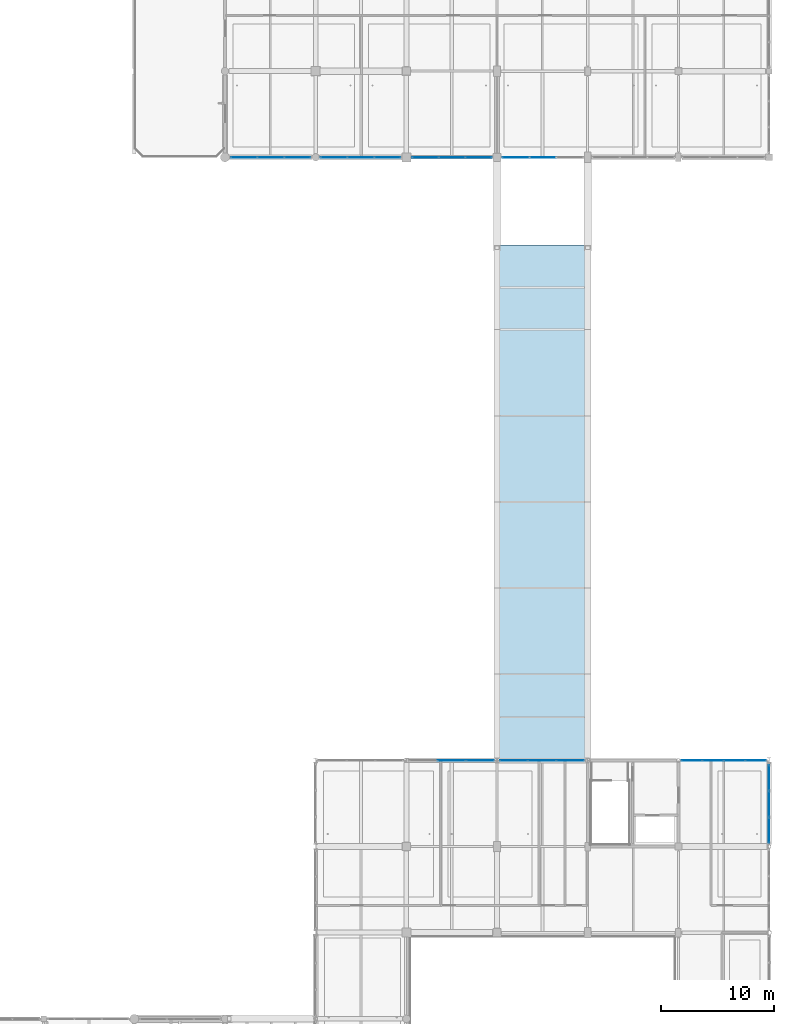
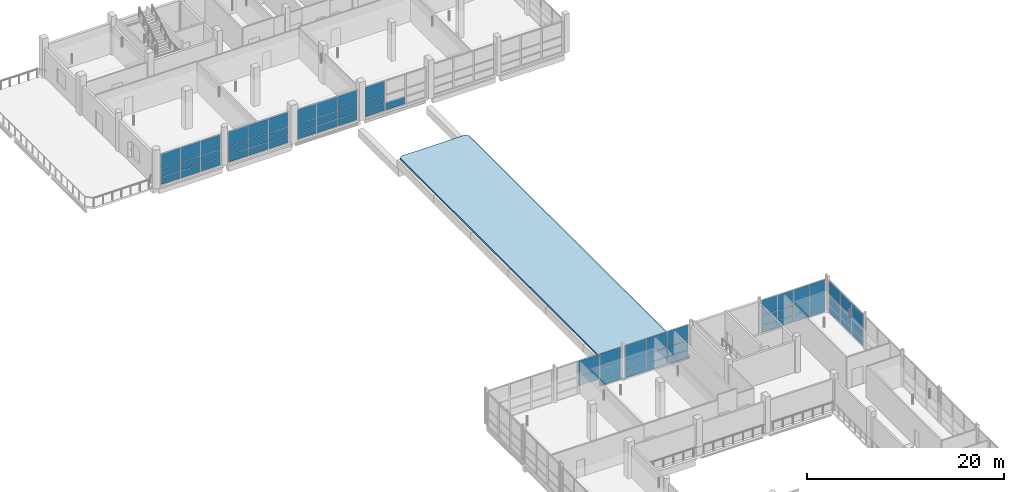
# One storey, part 62 of 107: 66 plates, 1 slab, 8 elements without a shape of their own.
"""IFC4 building model written with IfcOpenShell, lengths in metres."""

import ifcopenshell
import ifcopenshell.guid

model = None  # the IFC model being written
_history = None  # IfcOwnerHistory: only IFC2X3 demands one
_inside = {}  # id of a spatial element -> (the spatial element, [elements in it])
_under = {}  # id of a project, library or spatial element -> (it, [spatial elements below it])
_declared = {}  # id of a project -> (the project, [libraries it declares])
_typed = {}  # id of a type object -> (the type object, [elements of that type])
_made_of = {}  # id of a material, layer set ... -> (it, [elements and type objects made of it])


def new_model(schema):
    """Start an empty IFC model of exactly this schema.

    Asked for "IFC4X3", IfcOpenShell would pick the latest addendum, in which some entities
    have other attributes; the version numbers below select the first issue.
    IFC2X3 requires an IfcOwnerHistory on every rooted entity: one is made here for all.
    """
    global model, _history
    if schema == "IFC4X3":
        model = ifcopenshell.file(schema_version=(4, 3, 0, 0))
    else:
        model = ifcopenshell.file(schema=schema)
    _inside.clear()
    _under.clear()
    _declared.clear()
    _typed.clear()
    _made_of.clear()
    _history = None
    if model.schema == "IFC2X3":
        org = make("IfcOrganization", Name="unknown")
        user = make(
            "IfcPersonAndOrganization",
            ThePerson=make("IfcPerson", FamilyName="unknown"),
            TheOrganization=org,
        )
        app = make(
            "IfcApplication",
            ApplicationDeveloper=org,
            Version="unknown",
            ApplicationFullName="unknown",
            ApplicationIdentifier="unknown",
        )
        _history = make(
            "IfcOwnerHistory",
            OwningUser=user,
            OwningApplication=app,
            ChangeAction="ADDED",
            CreationDate=0,
        )
    return model


def make(cls, **values):
    """One entity of the class cls with the attributes given. An attribute that is None is left unset."""
    return model.create_entity(
        cls, **{name: value for name, value in values.items() if value is not None}
    )


def rooted(cls, **values):
    """An entity with a GlobalId (a new one), such as an element, a storey or a relation."""
    return make(cls, GlobalId=ifcopenshell.guid.new(), OwnerHistory=_history, **values)


def si_unit(unit_type, name, prefix=None):
    """IfcSIUnit, for example si_unit("LENGTHUNIT", "METRE", prefix="MILLI")."""
    return make("IfcSIUnit", UnitType=unit_type, Prefix=prefix, Name=name)


def assignment(units):
    """IfcUnitAssignment: the units of a project."""
    return None if units is None else make("IfcUnitAssignment", Units=units)


def point(xyz):
    """IfcCartesianPoint."""
    return None if xyz is None else make("IfcCartesianPoint", Coordinates=xyz)


def direction(xyz):
    """IfcDirection."""
    return None if xyz is None else make("IfcDirection", DirectionRatios=xyz)


def frame(location, z_axis=None, x_axis=None):
    """IfcAxis2Placement3D, a coordinate frame: its origin and axes. An axis left out is left unset."""
    return make(
        "IfcAxis2Placement3D",
        Location=point(location),
        Axis=direction(z_axis),
        RefDirection=direction(x_axis),
    )


def frame_2d(location, x_axis=None):
    """IfcAxis2Placement2D, a coordinate frame in the plane: its origin and x axis."""
    return make(
        "IfcAxis2Placement2D", Location=point(location), RefDirection=direction(x_axis)
    )


def origin():
    """The frame at (0, 0, 0) with its axes left unset."""
    return frame((0.0, 0.0, 0.0))


def origin_2d():
    """The frame at (0, 0) in the plane with its x axis left unset."""
    return frame_2d((0.0, 0.0))


def place(relative_to, where):
    """IfcLocalPlacement: puts the frame where relative to a parent placement (None: the world)."""
    return make(
        "IfcLocalPlacement", PlacementRelTo=relative_to, RelativePlacement=where
    )


def context(
    kind, dimensions, precision=None, world=None, true_north=None, identifier=None
):
    """IfcGeometricRepresentationContext, for example the 3D "Model" context."""
    return make(
        "IfcGeometricRepresentationContext",
        ContextIdentifier=identifier,
        ContextType=kind,
        CoordinateSpaceDimension=dimensions,
        Precision=precision,
        WorldCoordinateSystem=world,
        TrueNorth=true_north,
    )


def subcontext(parent, identifier, kind, view, scale=None):
    """IfcGeometricRepresentationSubContext, for example "Body" below "Model"."""
    return make(
        "IfcGeometricRepresentationSubContext",
        ContextIdentifier=identifier,
        ContextType=kind,
        ParentContext=parent,
        TargetScale=scale,
        TargetView=view,
    )


def project(units=None, contexts=None):
    """IfcProject with its units and contexts."""
    return rooted(
        "IfcProject",
        Name="project",
        RepresentationContexts=contexts,
        UnitsInContext=assignment(units),
    )


def spatial(cls, under=None, at=None, **own):
    """A site, building, storey or space (cls), placed at a placement, below another one or the project."""
    s = rooted(cls, ObjectPlacement=at, **own)
    if under is not None:
        _under.setdefault(under.id(), (under, []))[1].append(s)
    return s


def polyline(points):
    """IfcPolyline through the points."""
    return make("IfcPolyline", Points=[point(p) for p in points])


def profile(cls, at=None, kind="AREA", **sizes):
    """A parametric profile (cls). Its sizes go by their IFC names, for example OverallWidth=200.0."""
    return make(cls, ProfileType=kind, Position=at, **sizes)


def rectangle(**sizes):
    """IfcRectangleProfileDef."""
    return profile("IfcRectangleProfileDef", **sizes)


def outline(outer, holes=None, kind="AREA"):
    """IfcArbitraryClosedProfileDef: a profile drawn as a closed curve; with holes, ...WithVoids."""
    if holes is None:
        return make("IfcArbitraryClosedProfileDef", ProfileType=kind, OuterCurve=outer)
    return make(
        "IfcArbitraryProfileDefWithVoids",
        ProfileType=kind,
        OuterCurve=outer,
        InnerCurves=holes,
    )


def extrude(swept, where, along, depth):
    """IfcExtrudedAreaSolid: the profile swept, set in the frame where, extruded along a direction by depth."""
    return make(
        "IfcExtrudedAreaSolid",
        SweptArea=swept,
        Position=where,
        ExtrudedDirection=direction(along),
        Depth=depth,
    )


def shape(context_of_items, identifier, shape_type, items):
    """IfcShapeRepresentation: the items that make up one representation, for example the "Body"."""
    return make(
        "IfcShapeRepresentation",
        ContextOfItems=context_of_items,
        RepresentationIdentifier=identifier,
        RepresentationType=shape_type,
        Items=items,
    )


def material(Name=None, Category=None):
    """IfcMaterial."""
    return make("IfcMaterial", Name=Name, Category=Category)


def layer(
    of_material, thickness, ventilated=None, Name=None, Category=None, Priority=None
):
    """IfcMaterialLayer: one layer of a wall or slab, of a material (None: an air gap)."""
    return make(
        "IfcMaterialLayer",
        Material=of_material,
        LayerThickness=thickness,
        IsVentilated=ventilated,
        Name=Name,
        Category=Category,
        Priority=Priority,
    )


def layer_set(layers, Name=None):
    """IfcMaterialLayerSet."""
    return make("IfcMaterialLayerSet", MaterialLayers=layers, LayerSetName=Name)


def made_of(thing, what):
    """Note that an element or type object is made of a material, layer set ...; save() writes the relation."""
    if what is not None:
        _made_of.setdefault(what.id(), (what, []))[1].append(thing)
    return thing


def type_object(cls, material=None, **own):
    """A type object (cls), such as IfcWallType, which elements share."""
    return made_of(rooted(cls, **own), material)


def element(
    cls,
    number,
    at=None,
    inside=None,
    cuts=None,
    type_object=None,
    material=None,
    context=None,
    identifier="Body",
    shape_type=None,
    held_by="IfcProductDefinitionShape",
    body=None,
    shapes=None,
    **own,
):
    """One element of the class cls, such as IfcWall. Its Tag is "e" and its number.

    at: its placement. inside: the storey or other place that contains it. cuts: it is an
    opening in that element (IfcRelVoidsElement). A single representation is given by context,
    identifier, shape_type and body (its items); several are given by shapes. held_by: the class
    of the entity that holds the representations. save() writes the other relations.
    """
    e = rooted(cls, Tag="e%d" % number, ObjectPlacement=at, **own)
    if body is not None:
        shapes = [shape(context, identifier, shape_type, body)]
    if shapes is not None:
        e.Representation = make(held_by, Representations=shapes)
    if inside is not None:
        _inside.setdefault(inside.id(), (inside, []))[1].append(e)
    if cuts is not None:
        rooted(
            "IfcRelVoidsElement", RelatingBuildingElement=cuts, RelatedOpeningElement=e
        )
    if type_object is not None:
        _typed.setdefault(type_object.id(), (type_object, []))[1].append(e)
    return made_of(e, material)


def aggregate(whole, parts):
    """IfcRelAggregates: a whole, such as a stair, and the parts it consists of."""
    return rooted("IfcRelAggregates", RelatingObject=whole, RelatedObjects=parts)


def save(model, path):
    """Write the relations noted so far, then the file.

    IfcRelAggregates (storeys below a building ...), IfcRelContainedInSpatialStructure (elements
    in a storey), IfcRelDefinesByType, IfcRelAssociatesMaterial and IfcRelDeclares: one each for
    every whole, place, type object, material and project.
    """
    for whole, parts in _under.values():
        aggregate(whole, parts)
    for where, things in _inside.values():
        rooted(
            "IfcRelContainedInSpatialStructure",
            RelatedElements=things,
            RelatingStructure=where,
        )
    for kind, things in _typed.values():
        rooted("IfcRelDefinesByType", RelatedObjects=things, RelatingType=kind)
    for what, things in _made_of.values():
        rooted("IfcRelAssociatesMaterial", RelatedObjects=things, RelatingMaterial=what)
    for by, libraries in _declared.values():
        rooted("IfcRelDeclares", RelatingContext=by, RelatedDefinitions=libraries)
    model.write(path)


model = new_model("IFC4")

# Units and contexts
model_context = context("Model", 3, precision=1e-05, world=origin(), true_north=direction((0.0, 1.0)))
body_context = subcontext(model_context, "Body", "Model", "MODEL_VIEW")
ifc_project = project(units=[si_unit("LENGTHUNIT", "METRE"), si_unit("AREAUNIT", "SQUARE_METRE"), si_unit("VOLUMEUNIT", "CUBIC_METRE"), si_unit("PLANEANGLEUNIT", "RADIAN"), si_unit("MASSUNIT", "GRAM", prefix="KILO")], contexts=[model_context])

# Site, building, storey
site_placement = place(None, origin())
site = spatial("IfcSite", under=ifc_project, at=site_placement, CompositionType="ELEMENT")
building_placement = place(site_placement, origin())
building = spatial("IfcBuilding", under=site, at=building_placement, Name="Khelvaren Railside Concert Hall", CompositionType="ELEMENT")
storey_placement = place(building_placement, frame((0.0, 0.0, 15.0)))
storey = spatial("IfcBuildingStorey", under=building, at=storey_placement, Name="L03", CompositionType="ELEMENT", Elevation=15.0)

# Curtain wall, plates
ifc_material_1 = material(Name="Acoustic laminated crystal facade glass", Category="glass")
curtain_wall_type_1 = type_object("IfcCurtainWallType", Name="CW15", PredefinedType="USERDEFINED", material=ifc_material_1)
curtain_wall_1_placement = place(storey_placement, origin())
curtain_wall_1 = element("IfcCurtainWall", 1, at=curtain_wall_1_placement, inside=storey, type_object=curtain_wall_type_1, Name="Unitised Curtain Wall CW-V2-L03-E-30", ObjectType="UNITISED CURTAIN WALL", PredefinedType="USERDEFINED")
ifc_layer_1 = layer(ifc_material_1, 0.0400390625)
ifc_layer_set_1 = layer_set([ifc_layer_1], Name="Acoustic laminated crystal facade glass")
plate_type_1 = type_object("IfcPlateType", Name="CWP77", PredefinedType="CURTAIN_PANEL", material=ifc_layer_set_1)
plate_1_placement = place(storey_placement, frame((184.0, 36.47900390625, 0.0849609375), z_axis=(0.0, 0.0, 1.0), x_axis=(0.0, -1.0, 0.0)))
plate_1 = element("IfcPlate", 2, at=plate_1_placement, type_object=plate_type_1, Name="CW15 panel 1.1", PredefinedType="CURTAIN_PANEL", context=body_context, shape_type="SweptSolid", body=[
    extrude(rectangle(XDim=2.216796875, YDim=0.0400390625, at=origin_2d()), origin(), (0.0, 0.0, 1.0), 0.822509765625),
])
plate_2_placement = place(storey_placement, frame((184.0, 36.47900390625, 0.992431640625), z_axis=(0.0, 0.0, 1.0), x_axis=(0.0, -1.0, 0.0)))
plate_2 = element("IfcPlate", 3, at=plate_2_placement, type_object=plate_type_1, Name="CW15 panel 1.2", PredefinedType="CURTAIN_PANEL", context=body_context, shape_type="SweptSolid", body=[
    extrude(rectangle(XDim=2.216796875, YDim=0.0400390625, at=origin_2d()), origin(), (0.0, 0.0, 1.0), 1.107421875),
])
plate_3_placement = place(storey_placement, frame((184.0, 36.47900390625, 2.184814453125), z_axis=(0.0, 0.0, 1.0), x_axis=(0.0, -1.0, 0.0)))
plate_3 = element("IfcPlate", 4, at=plate_3_placement, type_object=plate_type_1, Name="CW15 panel 1.3", PredefinedType="CURTAIN_PANEL", context=body_context, shape_type="SweptSolid", body=[
    extrude(rectangle(XDim=2.216796875, YDim=0.0400390625, at=origin_2d()), origin(), (0.0, 0.0, 1.0), 1.85009765625),
])
plate_4_placement = place(storey_placement, frame((184.0, 34.156005859375, 0.0849609375), z_axis=(0.0, 0.0, 1.0), x_axis=(0.0, -1.0, 0.0)))
plate_4 = element("IfcPlate", 5, at=plate_4_placement, type_object=plate_type_1, Name="CW15 panel 2.1", PredefinedType="CURTAIN_PANEL", context=body_context, shape_type="SweptSolid", body=[
    extrude(rectangle(XDim=2.25927734375, YDim=0.0400390625, at=origin_2d()), origin(), (0.0, 0.0, 1.0), 0.822509765625),
])
plate_5_placement = place(storey_placement, frame((184.0, 34.156005859375, 0.992431640625), z_axis=(0.0, 0.0, 1.0), x_axis=(0.0, -1.0, 0.0)))
plate_5 = element("IfcPlate", 6, at=plate_5_placement, type_object=plate_type_1, Name="CW15 panel 2.2", PredefinedType="CURTAIN_PANEL", context=body_context, shape_type="SweptSolid", body=[
    extrude(rectangle(XDim=2.25927734375, YDim=0.0400390625, at=origin_2d()), origin(), (0.0, 0.0, 1.0), 1.107421875),
])
plate_6_placement = place(storey_placement, frame((184.0, 34.156005859375, 2.184814453125), z_axis=(0.0, 0.0, 1.0), x_axis=(0.0, -1.0, 0.0)))
plate_6 = element("IfcPlate", 7, at=plate_6_placement, type_object=plate_type_1, Name="CW15 panel 2.3", PredefinedType="CURTAIN_PANEL", context=body_context, shape_type="SweptSolid", body=[
    extrude(rectangle(XDim=2.25927734375, YDim=0.0400390625, at=origin_2d()), origin(), (0.0, 0.0, 1.0), 1.85009765625),
])
plate_7_placement = place(storey_placement, frame((184.0, 31.8330078125, 0.0849609375), z_axis=(0.0, 0.0, 1.0), x_axis=(0.0, -1.0, 0.0)))
plate_7 = element("IfcPlate", 8, at=plate_7_placement, type_object=plate_type_1, Name="CW15 panel 3.1", PredefinedType="CURTAIN_PANEL", context=body_context, shape_type="SweptSolid", body=[
    extrude(rectangle(XDim=2.216796875, YDim=0.0400390625, at=origin_2d()), origin(), (0.0, 0.0, 1.0), 0.822509765625),
])
plate_8_placement = place(storey_placement, frame((184.0, 31.8330078125, 0.992431640625), z_axis=(0.0, 0.0, 1.0), x_axis=(0.0, -1.0, 0.0)))
plate_8 = element("IfcPlate", 9, at=plate_8_placement, type_object=plate_type_1, Name="CW15 panel 3.2", PredefinedType="CURTAIN_PANEL", context=body_context, shape_type="SweptSolid", body=[
    extrude(rectangle(XDim=2.216796875, YDim=0.0400390625, at=origin_2d()), origin(), (0.0, 0.0, 1.0), 1.107421875),
])
plate_9_placement = place(storey_placement, frame((184.0, 31.8330078125, 2.184814453125), z_axis=(0.0, 0.0, 1.0), x_axis=(0.0, -1.0, 0.0)))
plate_9 = element("IfcPlate", 10, at=plate_9_placement, type_object=plate_type_1, Name="CW15 panel 3.3", PredefinedType="CURTAIN_PANEL", context=body_context, shape_type="SweptSolid", body=[
    extrude(rectangle(XDim=2.216796875, YDim=0.0400390625, at=origin_2d()), origin(), (0.0, 0.0, 1.0), 1.85009765625),
])
aggregate(curtain_wall_1, [plate_1, plate_2, plate_3, plate_4, plate_5, plate_6, plate_7, plate_8, plate_9])

ifc_material_2 = material(Name="Double-glazed low-E dark acoustic glass", Category="glass")
curtain_wall_type_2 = type_object("IfcCurtainWallType", Name="CW69", PredefinedType="USERDEFINED", material=ifc_material_2)
curtain_wall_2_placement = place(storey_placement, origin())
curtain_wall_2 = element("IfcCurtainWall", 11, at=curtain_wall_2_placement, inside=storey, type_object=curtain_wall_type_2, Name="Unitised Curtain Wall CW-V2-L03-N-152", ObjectType="UNITISED CURTAIN WALL", PredefinedType="USERDEFINED")
ifc_layer_2 = layer(ifc_material_2, 0.031982421875)
ifc_layer_set_2 = layer_set([ifc_layer_2], Name="Double-glazed low-E dark acoustic glass")
plate_type_2 = type_object("IfcPlateType", Name="CWP84", PredefinedType="CURTAIN_PANEL", material=ifc_layer_set_2)
plate_10_placement = place(storey_placement, frame((156.0, 38.0, 0.982421875), z_axis=(0.0, 0.0, 1.0), x_axis=(1.0, 0.0, 0.0)))
plate_10 = element("IfcPlate", 12, at=plate_10_placement, type_object=plate_type_2, Name="CW69 panel 2.2", PredefinedType="CURTAIN_PANEL", context=body_context, shape_type="SweptSolid", body=[
    extrude(rectangle(XDim=2.456787109375, YDim=0.031982421875, at=origin_2d()), origin(), (0.0, 0.0, 1.0), 1.12744140625),
])
plate_11_placement = place(storey_placement, frame((156.0, 38.0, 2.1748046875), z_axis=(0.0, 0.0, 1.0), x_axis=(1.0, 0.0, 0.0)))
plate_11 = element("IfcPlate", 13, at=plate_11_placement, type_object=plate_type_2, Name="CW69 panel 2.3", PredefinedType="CURTAIN_PANEL", context=body_context, shape_type="SweptSolid", body=[
    extrude(rectangle(XDim=2.456787109375, YDim=0.031982421875, at=origin_2d()), origin(), (0.0, 0.0, 1.0), 1.880126953125),
])
plate_12_placement = place(storey_placement, frame((158.50537109375, 38.0, 0.06494140625), z_axis=(0.0, 0.0, 1.0), x_axis=(1.0, 0.0, 0.0)))
plate_12 = element("IfcPlate", 14, at=plate_12_placement, type_object=plate_type_2, Name="CW69 panel 3.1", PredefinedType="CURTAIN_PANEL", context=body_context, shape_type="SweptSolid", body=[
    extrude(rectangle(XDim=2.424072265625, YDim=0.031982421875, at=origin_2d()), origin(), (0.0, 0.0, 1.0), 0.8525390625),
])
plate_13_placement = place(storey_placement, frame((158.50537109375, 38.0, 0.982421875), z_axis=(0.0, 0.0, 1.0), x_axis=(1.0, 0.0, 0.0)))
plate_13 = element("IfcPlate", 15, at=plate_13_placement, type_object=plate_type_2, Name="CW69 panel 3.2", PredefinedType="CURTAIN_PANEL", context=body_context, shape_type="SweptSolid", body=[
    extrude(rectangle(XDim=2.424072265625, YDim=0.031982421875, at=origin_2d()), origin(), (0.0, 0.0, 1.0), 1.12744140625),
])
plate_14_placement = place(storey_placement, frame((158.50537109375, 38.0, 2.1748046875), z_axis=(0.0, 0.0, 1.0), x_axis=(1.0, 0.0, 0.0)))
plate_14 = element("IfcPlate", 16, at=plate_14_placement, type_object=plate_type_2, Name="CW69 panel 3.3", PredefinedType="CURTAIN_PANEL", context=body_context, shape_type="SweptSolid", body=[
    extrude(rectangle(XDim=2.424072265625, YDim=0.031982421875, at=origin_2d()), origin(), (0.0, 0.0, 1.0), 1.880126953125),
])
aggregate(curtain_wall_2, [plate_10, plate_11, plate_12, plate_13, plate_14])

curtain_wall_type_3 = type_object("IfcCurtainWallType", Name="CW32", PredefinedType="USERDEFINED", material=ifc_material_2)
curtain_wall_3_placement = place(storey_placement, origin())
curtain_wall_3 = element("IfcCurtainWall", 17, at=curtain_wall_3_placement, inside=storey, type_object=curtain_wall_type_3, Name="Unitised Curtain Wall CW-V2-L03-N-160", ObjectType="UNITISED CURTAIN WALL", PredefinedType="USERDEFINED")
plate_15_placement = place(storey_placement, frame((161.485595703125, 38.0, 0.06494140625), z_axis=(0.0, 0.0, 1.0), x_axis=(1.0, 0.0, 0.0)))
plate_15 = element("IfcPlate", 18, at=plate_15_placement, type_object=plate_type_2, Name="CW32 panel 1.1", PredefinedType="CURTAIN_PANEL", context=body_context, shape_type="SweptSolid", body=[
    extrude(rectangle(XDim=2.406494140625, YDim=0.031982421875, at=origin_2d()), origin(), (0.0, 0.0, 1.0), 0.8525390625),
])
plate_16_placement = place(storey_placement, frame((161.485595703125, 38.0, 0.982421875), z_axis=(0.0, 0.0, 1.0), x_axis=(1.0, 0.0, 0.0)))
plate_16 = element("IfcPlate", 19, at=plate_16_placement, type_object=plate_type_2, Name="CW32 panel 1.2", PredefinedType="CURTAIN_PANEL", context=body_context, shape_type="SweptSolid", body=[
    extrude(rectangle(XDim=2.406494140625, YDim=0.031982421875, at=origin_2d()), origin(), (0.0, 0.0, 1.0), 1.12744140625),
])
plate_17_placement = place(storey_placement, frame((161.485595703125, 38.0, 2.1748046875), z_axis=(0.0, 0.0, 1.0), x_axis=(1.0, 0.0, 0.0)))
plate_17 = element("IfcPlate", 20, at=plate_17_placement, type_object=plate_type_2, Name="CW32 panel 1.3", PredefinedType="CURTAIN_PANEL", context=body_context, shape_type="SweptSolid", body=[
    extrude(rectangle(XDim=2.406494140625, YDim=0.031982421875, at=origin_2d()), origin(), (0.0, 0.0, 1.0), 1.880126953125),
])
plate_18_placement = place(storey_placement, frame((163.973388671875, 38.0, 0.06494140625), z_axis=(0.0, 0.0, 1.0), x_axis=(1.0, 0.0, 0.0)))
plate_18 = element("IfcPlate", 21, at=plate_18_placement, type_object=plate_type_2, Name="CW32 panel 2.1", PredefinedType="CURTAIN_PANEL", context=body_context, shape_type="SweptSolid", body=[
    extrude(rectangle(XDim=2.43896484375, YDim=0.031982421875, at=origin_2d()), origin(), (0.0, 0.0, 1.0), 0.8525390625),
])
plate_19_placement = place(storey_placement, frame((163.973388671875, 38.0, 0.982421875), z_axis=(0.0, 0.0, 1.0), x_axis=(1.0, 0.0, 0.0)))
plate_19 = element("IfcPlate", 22, at=plate_19_placement, type_object=plate_type_2, Name="CW32 panel 2.2", PredefinedType="CURTAIN_PANEL", context=body_context, shape_type="SweptSolid", body=[
    extrude(rectangle(XDim=2.43896484375, YDim=0.031982421875, at=origin_2d()), origin(), (0.0, 0.0, 1.0), 1.12744140625),
])
plate_20_placement = place(storey_placement, frame((163.973388671875, 38.0, 2.1748046875), z_axis=(0.0, 0.0, 1.0), x_axis=(1.0, 0.0, 0.0)))
plate_20 = element("IfcPlate", 23, at=plate_20_placement, type_object=plate_type_2, Name="CW32 panel 2.3", PredefinedType="CURTAIN_PANEL", context=body_context, shape_type="SweptSolid", body=[
    extrude(rectangle(XDim=2.43896484375, YDim=0.031982421875, at=origin_2d()), origin(), (0.0, 0.0, 1.0), 1.880126953125),
])
plate_21_placement = place(storey_placement, frame((166.461181640625, 38.0, 0.06494140625), z_axis=(0.0, 0.0, 1.0), x_axis=(1.0, 0.0, 0.0)))
plate_21 = element("IfcPlate", 24, at=plate_21_placement, type_object=plate_type_2, Name="CW32 panel 3.1", PredefinedType="CURTAIN_PANEL", context=body_context, shape_type="SweptSolid", body=[
    extrude(rectangle(XDim=2.406494140625, YDim=0.031982421875, at=origin_2d()), origin(), (0.0, 0.0, 1.0), 0.8525390625),
])
plate_22_placement = place(storey_placement, frame((166.461181640625, 38.0, 0.982421875), z_axis=(0.0, 0.0, 1.0), x_axis=(1.0, 0.0, 0.0)))
plate_22 = element("IfcPlate", 25, at=plate_22_placement, type_object=plate_type_2, Name="CW32 panel 3.2", PredefinedType="CURTAIN_PANEL", context=body_context, shape_type="SweptSolid", body=[
    extrude(rectangle(XDim=2.406494140625, YDim=0.031982421875, at=origin_2d()), origin(), (0.0, 0.0, 1.0), 1.12744140625),
])
plate_23_placement = place(storey_placement, frame((166.461181640625, 38.0, 2.1748046875), z_axis=(0.0, 0.0, 1.0), x_axis=(1.0, 0.0, 0.0)))
plate_23 = element("IfcPlate", 26, at=plate_23_placement, type_object=plate_type_2, Name="CW32 panel 3.3", PredefinedType="CURTAIN_PANEL", context=body_context, shape_type="SweptSolid", body=[
    extrude(rectangle(XDim=2.406494140625, YDim=0.031982421875, at=origin_2d()), origin(), (0.0, 0.0, 1.0), 1.880126953125),
])
aggregate(curtain_wall_3, [plate_15, plate_16, plate_17, plate_18, plate_19, plate_20, plate_21, plate_22, plate_23])

curtain_wall_type_4 = type_object("IfcCurtainWallType", Name="CW94", PredefinedType="USERDEFINED", material=ifc_material_2)
curtain_wall_4_placement = place(storey_placement, origin())
curtain_wall_4 = element("IfcCurtainWall", 27, at=curtain_wall_4_placement, inside=storey, type_object=curtain_wall_type_4, Name="Unitised Curtain Wall CW-V2-L03-N-176", ObjectType="UNITISED CURTAIN WALL", PredefinedType="USERDEFINED")
plate_24_placement = place(storey_placement, frame((177.18994140625, 38.0, 0.06494140625), z_axis=(0.0, 0.0, 1.0), x_axis=(1.0, 0.0, 0.0)))
plate_24 = element("IfcPlate", 28, at=plate_24_placement, type_object=plate_type_2, Name="CW94 panel 1.1", PredefinedType="CURTAIN_PANEL", context=body_context, shape_type="SweptSolid", body=[
    extrude(rectangle(XDim=1.790771484375, YDim=0.031982421875, at=origin_2d()), origin(), (0.0, 0.0, 1.0), 0.8525390625),
])
plate_25_placement = place(storey_placement, frame((177.18994140625, 38.0, 0.982421875), z_axis=(0.0, 0.0, 1.0), x_axis=(1.0, 0.0, 0.0)))
plate_25 = element("IfcPlate", 29, at=plate_25_placement, type_object=plate_type_2, Name="CW94 panel 1.2", PredefinedType="CURTAIN_PANEL", context=body_context, shape_type="SweptSolid", body=[
    extrude(rectangle(XDim=1.790771484375, YDim=0.031982421875, at=origin_2d()), origin(), (0.0, 0.0, 1.0), 1.12744140625),
])
plate_26_placement = place(storey_placement, frame((177.18994140625, 38.0, 2.1748046875), z_axis=(0.0, 0.0, 1.0), x_axis=(1.0, 0.0, 0.0)))
plate_26 = element("IfcPlate", 30, at=plate_26_placement, type_object=plate_type_2, Name="CW94 panel 1.3", PredefinedType="CURTAIN_PANEL", context=body_context, shape_type="SweptSolid", body=[
    extrude(rectangle(XDim=1.790771484375, YDim=0.031982421875, at=origin_2d()), origin(), (0.0, 0.0, 1.0), 1.880126953125),
])
plate_27_placement = place(storey_placement, frame((179.061767578125, 38.0, 0.06494140625), z_axis=(0.0, 0.0, 1.0), x_axis=(1.0, 0.0, 0.0)))
plate_27 = element("IfcPlate", 31, at=plate_27_placement, type_object=plate_type_2, Name="CW94 panel 2.1", PredefinedType="CURTAIN_PANEL", context=body_context, shape_type="SweptSolid", body=[
    extrude(rectangle(XDim=1.8232421875, YDim=0.031982421875, at=origin_2d()), origin(), (0.0, 0.0, 1.0), 0.8525390625),
])
plate_28_placement = place(storey_placement, frame((179.061767578125, 38.0, 0.982421875), z_axis=(0.0, 0.0, 1.0), x_axis=(1.0, 0.0, 0.0)))
plate_28 = element("IfcPlate", 32, at=plate_28_placement, type_object=plate_type_2, Name="CW94 panel 2.2", PredefinedType="CURTAIN_PANEL", context=body_context, shape_type="SweptSolid", body=[
    extrude(rectangle(XDim=1.8232421875, YDim=0.031982421875, at=origin_2d()), origin(), (0.0, 0.0, 1.0), 1.12744140625),
])
plate_29_placement = place(storey_placement, frame((179.061767578125, 38.0, 2.1748046875), z_axis=(0.0, 0.0, 1.0), x_axis=(1.0, 0.0, 0.0)))
plate_29 = element("IfcPlate", 33, at=plate_29_placement, type_object=plate_type_2, Name="CW94 panel 2.3", PredefinedType="CURTAIN_PANEL", context=body_context, shape_type="SweptSolid", body=[
    extrude(rectangle(XDim=1.8232421875, YDim=0.031982421875, at=origin_2d()), origin(), (0.0, 0.0, 1.0), 1.880126953125),
])
plate_30_placement = place(storey_placement, frame((180.9501953125, 38.0, 0.06494140625), z_axis=(0.0, 0.0, 1.0), x_axis=(1.0, 0.0, 0.0)))
plate_30 = element("IfcPlate", 34, at=plate_30_placement, type_object=plate_type_2, Name="CW94 panel 3.1", PredefinedType="CURTAIN_PANEL", context=body_context, shape_type="SweptSolid", body=[
    extrude(rectangle(XDim=1.8232421875, YDim=0.031982421875, at=origin_2d()), origin(), (0.0, 0.0, 1.0), 0.8525390625),
])
plate_31_placement = place(storey_placement, frame((180.9501953125, 38.0, 0.982421875), z_axis=(0.0, 0.0, 1.0), x_axis=(1.0, 0.0, 0.0)))
plate_31 = element("IfcPlate", 35, at=plate_31_placement, type_object=plate_type_2, Name="CW94 panel 3.2", PredefinedType="CURTAIN_PANEL", context=body_context, shape_type="SweptSolid", body=[
    extrude(rectangle(XDim=1.8232421875, YDim=0.031982421875, at=origin_2d()), origin(), (0.0, 0.0, 1.0), 1.12744140625),
])
plate_32_placement = place(storey_placement, frame((180.9501953125, 38.0, 2.1748046875), z_axis=(0.0, 0.0, 1.0), x_axis=(1.0, 0.0, 0.0)))
plate_32 = element("IfcPlate", 36, at=plate_32_placement, type_object=plate_type_2, Name="CW94 panel 3.3", PredefinedType="CURTAIN_PANEL", context=body_context, shape_type="SweptSolid", body=[
    extrude(rectangle(XDim=1.8232421875, YDim=0.031982421875, at=origin_2d()), origin(), (0.0, 0.0, 1.0), 1.880126953125),
])
plate_33_placement = place(storey_placement, frame((182.822021484375, 38.0, 0.06494140625), z_axis=(0.0, 0.0, 1.0), x_axis=(1.0, 0.0, 0.0)))
plate_33 = element("IfcPlate", 37, at=plate_33_placement, type_object=plate_type_2, Name="CW94 panel 4.1", PredefinedType="CURTAIN_PANEL", context=body_context, shape_type="SweptSolid", body=[
    extrude(rectangle(XDim=1.790771484375, YDim=0.031982421875, at=origin_2d()), origin(), (0.0, 0.0, 1.0), 0.8525390625),
])
plate_34_placement = place(storey_placement, frame((182.822021484375, 38.0, 0.982421875), z_axis=(0.0, 0.0, 1.0), x_axis=(1.0, 0.0, 0.0)))
plate_34 = element("IfcPlate", 38, at=plate_34_placement, type_object=plate_type_2, Name="CW94 panel 4.2", PredefinedType="CURTAIN_PANEL", context=body_context, shape_type="SweptSolid", body=[
    extrude(rectangle(XDim=1.790771484375, YDim=0.031982421875, at=origin_2d()), origin(), (0.0, 0.0, 1.0), 1.12744140625),
])
plate_35_placement = place(storey_placement, frame((182.822021484375, 38.0, 2.1748046875), z_axis=(0.0, 0.0, 1.0), x_axis=(1.0, 0.0, 0.0)))
plate_35 = element("IfcPlate", 39, at=plate_35_placement, type_object=plate_type_2, Name="CW94 panel 4.3", PredefinedType="CURTAIN_PANEL", context=body_context, shape_type="SweptSolid", body=[
    extrude(rectangle(XDim=1.790771484375, YDim=0.031982421875, at=origin_2d()), origin(), (0.0, 0.0, 1.0), 1.880126953125),
])
aggregate(curtain_wall_4, [plate_24, plate_25, plate_26, plate_27, plate_28, plate_29, plate_30, plate_31, plate_32, plate_33, plate_34, plate_35])

curtain_wall_5_placement = place(storey_placement, origin())
curtain_wall_5 = element("IfcCurtainWall", 40, at=curtain_wall_5_placement, inside=storey, type_object=curtain_wall_type_4, Name="Unitised Curtain Wall CW-V5-L03-S-136", ObjectType="UNITISED CURTAIN WALL", PredefinedType="USERDEFINED")
plate_36_placement = place(storey_placement, frame((142.4013671875, 91.199951171875, 0.06494140625), z_axis=(0.0, 0.0, 1.0), x_axis=(-1.0, 0.0, 0.0)))
plate_36 = element("IfcPlate", 41, at=plate_36_placement, type_object=plate_type_2, Name="CW94 panel 1.1", PredefinedType="CURTAIN_PANEL", context=body_context, shape_type="SweptSolid", body=[
    extrude(rectangle(XDim=2.282470703125, YDim=0.031982421875, at=origin_2d()), origin(), (0.0, 0.0, 1.0), 0.8525390625),
])
plate_37_placement = place(storey_placement, frame((142.4013671875, 91.199951171875, 0.982421875), z_axis=(0.0, 0.0, 1.0), x_axis=(-1.0, 0.0, 0.0)))
plate_37 = element("IfcPlate", 42, at=plate_37_placement, type_object=plate_type_2, Name="CW94 panel 1.2", PredefinedType="CURTAIN_PANEL", context=body_context, shape_type="SweptSolid", body=[
    extrude(rectangle(XDim=2.282470703125, YDim=0.031982421875, at=origin_2d()), origin(), (0.0, 0.0, 1.0), 0.997314453125),
])
plate_38_placement = place(storey_placement, frame((142.4013671875, 91.199951171875, 2.044921875), z_axis=(0.0, 0.0, 1.0), x_axis=(-1.0, 0.0, 0.0)))
plate_38 = element("IfcPlate", 43, at=plate_38_placement, type_object=plate_type_2, Name="CW94 panel 1.3", PredefinedType="CURTAIN_PANEL", context=body_context, shape_type="SweptSolid", body=[
    extrude(rectangle(XDim=2.282470703125, YDim=0.031982421875, at=origin_2d()), origin(), (0.0, 0.0, 1.0), 1.760009765625),
])
plate_39_placement = place(storey_placement, frame((140.03759765625, 91.199951171875, 0.06494140625), z_axis=(0.0, 0.0, 1.0), x_axis=(-1.0, 0.0, 0.0)))
plate_39 = element("IfcPlate", 44, at=plate_39_placement, type_object=plate_type_2, Name="CW94 panel 2.1", PredefinedType="CURTAIN_PANEL", context=body_context, shape_type="SweptSolid", body=[
    extrude(rectangle(XDim=2.31494140625, YDim=0.031982421875, at=origin_2d()), origin(), (0.0, 0.0, 1.0), 0.8525390625),
])
plate_40_placement = place(storey_placement, frame((140.03759765625, 91.199951171875, 0.982421875), z_axis=(0.0, 0.0, 1.0), x_axis=(-1.0, 0.0, 0.0)))
plate_40 = element("IfcPlate", 45, at=plate_40_placement, type_object=plate_type_2, Name="CW94 panel 2.2", PredefinedType="CURTAIN_PANEL", context=body_context, shape_type="SweptSolid", body=[
    extrude(rectangle(XDim=2.31494140625, YDim=0.031982421875, at=origin_2d()), origin(), (0.0, 0.0, 1.0), 0.997314453125),
])
plate_41_placement = place(storey_placement, frame((140.03759765625, 91.199951171875, 2.044921875), z_axis=(0.0, 0.0, 1.0), x_axis=(-1.0, 0.0, 0.0)))
plate_41 = element("IfcPlate", 46, at=plate_41_placement, type_object=plate_type_2, Name="CW94 panel 2.3", PredefinedType="CURTAIN_PANEL", context=body_context, shape_type="SweptSolid", body=[
    extrude(rectangle(XDim=2.31494140625, YDim=0.031982421875, at=origin_2d()), origin(), (0.0, 0.0, 1.0), 1.760009765625),
])
plate_42_placement = place(storey_placement, frame((137.673828125, 91.199951171875, 0.06494140625), z_axis=(0.0, 0.0, 1.0), x_axis=(-1.0, 0.0, 0.0)))
plate_42 = element("IfcPlate", 47, at=plate_42_placement, type_object=plate_type_2, Name="CW94 panel 3.1", PredefinedType="CURTAIN_PANEL", context=body_context, shape_type="SweptSolid", body=[
    extrude(rectangle(XDim=2.282470703125, YDim=0.031982421875, at=origin_2d()), origin(), (0.0, 0.0, 1.0), 0.8525390625),
])
plate_43_placement = place(storey_placement, frame((137.673828125, 91.199951171875, 0.982421875), z_axis=(0.0, 0.0, 1.0), x_axis=(-1.0, 0.0, 0.0)))
plate_43 = element("IfcPlate", 48, at=plate_43_placement, type_object=plate_type_2, Name="CW94 panel 3.2", PredefinedType="CURTAIN_PANEL", context=body_context, shape_type="SweptSolid", body=[
    extrude(rectangle(XDim=2.282470703125, YDim=0.031982421875, at=origin_2d()), origin(), (0.0, 0.0, 1.0), 0.997314453125),
])
plate_44_placement = place(storey_placement, frame((137.673828125, 91.199951171875, 2.044921875), z_axis=(0.0, 0.0, 1.0), x_axis=(-1.0, 0.0, 0.0)))
plate_44 = element("IfcPlate", 49, at=plate_44_placement, type_object=plate_type_2, Name="CW94 panel 3.3", PredefinedType="CURTAIN_PANEL", context=body_context, shape_type="SweptSolid", body=[
    extrude(rectangle(XDim=2.282470703125, YDim=0.031982421875, at=origin_2d()), origin(), (0.0, 0.0, 1.0), 1.760009765625),
])
aggregate(curtain_wall_5, [plate_36, plate_37, plate_38, plate_39, plate_40, plate_41, plate_42, plate_43, plate_44])

curtain_wall_type_5 = type_object("IfcCurtainWallType", Name="CW65", PredefinedType="USERDEFINED", material=ifc_material_2)
curtain_wall_6_placement = place(storey_placement, origin())
curtain_wall_6 = element("IfcCurtainWall", 50, at=curtain_wall_6_placement, inside=storey, type_object=curtain_wall_type_5, Name="Unitised Curtain Wall CW-V5-L03-S-144", ObjectType="UNITISED CURTAIN WALL", PredefinedType="USERDEFINED")
plate_45_placement = place(storey_placement, frame((150.326171875, 91.199951171875, 0.06494140625), z_axis=(0.0, 0.0, 1.0), x_axis=(-1.0, 0.0, 0.0)))
plate_45 = element("IfcPlate", 51, at=plate_45_placement, type_object=plate_type_2, Name="CW65 panel 1.1", PredefinedType="CURTAIN_PANEL", context=body_context, shape_type="SweptSolid", body=[
    extrude(rectangle(XDim=2.282470703125, YDim=0.031982421875, at=origin_2d()), origin(), (0.0, 0.0, 1.0), 0.8525390625),
])
plate_46_placement = place(storey_placement, frame((150.326171875, 91.199951171875, 0.982421875), z_axis=(0.0, 0.0, 1.0), x_axis=(-1.0, 0.0, 0.0)))
plate_46 = element("IfcPlate", 52, at=plate_46_placement, type_object=plate_type_2, Name="CW65 panel 1.2", PredefinedType="CURTAIN_PANEL", context=body_context, shape_type="SweptSolid", body=[
    extrude(rectangle(XDim=2.282470703125, YDim=0.031982421875, at=origin_2d()), origin(), (0.0, 0.0, 1.0), 0.997314453125),
])
plate_47_placement = place(storey_placement, frame((150.326171875, 91.199951171875, 2.044921875), z_axis=(0.0, 0.0, 1.0), x_axis=(-1.0, 0.0, 0.0)))
plate_47 = element("IfcPlate", 53, at=plate_47_placement, type_object=plate_type_2, Name="CW65 panel 1.3", PredefinedType="CURTAIN_PANEL", context=body_context, shape_type="SweptSolid", body=[
    extrude(rectangle(XDim=2.282470703125, YDim=0.031982421875, at=origin_2d()), origin(), (0.0, 0.0, 1.0), 1.760009765625),
])
plate_48_placement = place(storey_placement, frame((147.96240234375, 91.199951171875, 0.06494140625), z_axis=(0.0, 0.0, 1.0), x_axis=(-1.0, 0.0, 0.0)))
plate_48 = element("IfcPlate", 54, at=plate_48_placement, type_object=plate_type_2, Name="CW65 panel 2.1", PredefinedType="CURTAIN_PANEL", context=body_context, shape_type="SweptSolid", body=[
    extrude(rectangle(XDim=2.31494140625, YDim=0.031982421875, at=origin_2d()), origin(), (0.0, 0.0, 1.0), 0.8525390625),
])
plate_49_placement = place(storey_placement, frame((147.96240234375, 91.199951171875, 0.982421875), z_axis=(0.0, 0.0, 1.0), x_axis=(-1.0, 0.0, 0.0)))
plate_49 = element("IfcPlate", 55, at=plate_49_placement, type_object=plate_type_2, Name="CW65 panel 2.2", PredefinedType="CURTAIN_PANEL", context=body_context, shape_type="SweptSolid", body=[
    extrude(rectangle(XDim=2.31494140625, YDim=0.031982421875, at=origin_2d()), origin(), (0.0, 0.0, 1.0), 0.997314453125),
])
plate_50_placement = place(storey_placement, frame((147.96240234375, 91.199951171875, 2.044921875), z_axis=(0.0, 0.0, 1.0), x_axis=(-1.0, 0.0, 0.0)))
plate_50 = element("IfcPlate", 56, at=plate_50_placement, type_object=plate_type_2, Name="CW65 panel 2.3", PredefinedType="CURTAIN_PANEL", context=body_context, shape_type="SweptSolid", body=[
    extrude(rectangle(XDim=2.31494140625, YDim=0.031982421875, at=origin_2d()), origin(), (0.0, 0.0, 1.0), 1.760009765625),
])
plate_51_placement = place(storey_placement, frame((145.5986328125, 91.199951171875, 0.06494140625), z_axis=(0.0, 0.0, 1.0), x_axis=(-1.0, 0.0, 0.0)))
plate_51 = element("IfcPlate", 57, at=plate_51_placement, type_object=plate_type_2, Name="CW65 panel 3.1", PredefinedType="CURTAIN_PANEL", context=body_context, shape_type="SweptSolid", body=[
    extrude(rectangle(XDim=2.282470703125, YDim=0.031982421875, at=origin_2d()), origin(), (0.0, 0.0, 1.0), 0.8525390625),
])
plate_52_placement = place(storey_placement, frame((145.5986328125, 91.199951171875, 0.982421875), z_axis=(0.0, 0.0, 1.0), x_axis=(-1.0, 0.0, 0.0)))
plate_52 = element("IfcPlate", 58, at=plate_52_placement, type_object=plate_type_2, Name="CW65 panel 3.2", PredefinedType="CURTAIN_PANEL", context=body_context, shape_type="SweptSolid", body=[
    extrude(rectangle(XDim=2.282470703125, YDim=0.031982421875, at=origin_2d()), origin(), (0.0, 0.0, 1.0), 0.997314453125),
])
plate_53_placement = place(storey_placement, frame((145.5986328125, 91.199951171875, 2.044921875), z_axis=(0.0, 0.0, 1.0), x_axis=(-1.0, 0.0, 0.0)))
plate_53 = element("IfcPlate", 59, at=plate_53_placement, type_object=plate_type_2, Name="CW65 panel 3.3", PredefinedType="CURTAIN_PANEL", context=body_context, shape_type="SweptSolid", body=[
    extrude(rectangle(XDim=2.282470703125, YDim=0.031982421875, at=origin_2d()), origin(), (0.0, 0.0, 1.0), 1.760009765625),
])
aggregate(curtain_wall_6, [plate_45, plate_46, plate_47, plate_48, plate_49, plate_50, plate_51, plate_52, plate_53])

curtain_wall_7_placement = place(storey_placement, origin())
curtain_wall_7 = element("IfcCurtainWall", 60, at=curtain_wall_7_placement, inside=storey, type_object=curtain_wall_type_2, Name="Unitised Curtain Wall CW-V5-L03-S-152", ObjectType="UNITISED CURTAIN WALL", PredefinedType="USERDEFINED")
plate_54_placement = place(storey_placement, frame((158.38037109375, 91.199951171875, 0.06494140625), z_axis=(0.0, 0.0, 1.0), x_axis=(-1.0, 0.0, 0.0)))
plate_54 = element("IfcPlate", 61, at=plate_54_placement, type_object=plate_type_2, Name="CW69 panel 1.1", PredefinedType="CURTAIN_PANEL", context=body_context, shape_type="SweptSolid", body=[
    extrude(rectangle(XDim=2.274169921875, YDim=0.031982421875, at=origin_2d()), origin(), (0.0, 0.0, 1.0), 0.8525390625),
])
plate_55_placement = place(storey_placement, frame((158.38037109375, 91.199951171875, 0.982421875), z_axis=(0.0, 0.0, 1.0), x_axis=(-1.0, 0.0, 0.0)))
plate_55 = element("IfcPlate", 62, at=plate_55_placement, type_object=plate_type_2, Name="CW69 panel 1.2", PredefinedType="CURTAIN_PANEL", context=body_context, shape_type="SweptSolid", body=[
    extrude(rectangle(XDim=2.274169921875, YDim=0.031982421875, at=origin_2d()), origin(), (0.0, 0.0, 1.0), 0.9453125),
])
plate_56_placement = place(storey_placement, frame((158.38037109375, 91.199951171875, 1.99267578125), z_axis=(0.0, 0.0, 1.0), x_axis=(-1.0, 0.0, 0.0)))
plate_56 = element("IfcPlate", 63, at=plate_56_placement, type_object=plate_type_2, Name="CW69 panel 1.3", PredefinedType="CURTAIN_PANEL", context=body_context, shape_type="SweptSolid", body=[
    extrude(rectangle(XDim=2.274169921875, YDim=0.031982421875, at=origin_2d()), origin(), (0.0, 0.0, 1.0), 1.712158203125),
])
plate_57_placement = place(storey_placement, frame((156.02490234375, 91.199951171875, 0.06494140625), z_axis=(0.0, 0.0, 1.0), x_axis=(-1.0, 0.0, 0.0)))
plate_57 = element("IfcPlate", 64, at=plate_57_placement, type_object=plate_type_2, Name="CW69 panel 2.1", PredefinedType="CURTAIN_PANEL", context=body_context, shape_type="SweptSolid", body=[
    extrude(rectangle(XDim=2.306640625, YDim=0.031982421875, at=origin_2d()), origin(), (0.0, 0.0, 1.0), 0.8525390625),
])
plate_58_placement = place(storey_placement, frame((156.02490234375, 91.199951171875, 0.982421875), z_axis=(0.0, 0.0, 1.0), x_axis=(-1.0, 0.0, 0.0)))
plate_58 = element("IfcPlate", 65, at=plate_58_placement, type_object=plate_type_2, Name="CW69 panel 2.2", PredefinedType="CURTAIN_PANEL", context=body_context, shape_type="SweptSolid", body=[
    extrude(rectangle(XDim=2.306640625, YDim=0.031982421875, at=origin_2d()), origin(), (0.0, 0.0, 1.0), 0.9453125),
])
plate_59_placement = place(storey_placement, frame((156.02490234375, 91.199951171875, 1.99267578125), z_axis=(0.0, 0.0, 1.0), x_axis=(-1.0, 0.0, 0.0)))
plate_59 = element("IfcPlate", 66, at=plate_59_placement, type_object=plate_type_2, Name="CW69 panel 2.3", PredefinedType="CURTAIN_PANEL", context=body_context, shape_type="SweptSolid", body=[
    extrude(rectangle(XDim=2.306640625, YDim=0.031982421875, at=origin_2d()), origin(), (0.0, 0.0, 1.0), 1.712158203125),
])
plate_60_placement = place(storey_placement, frame((153.669677734375, 91.199951171875, 0.06494140625), z_axis=(0.0, 0.0, 1.0), x_axis=(-1.0, 0.0, 0.0)))
plate_60 = element("IfcPlate", 67, at=plate_60_placement, type_object=plate_type_2, Name="CW69 panel 3.1", PredefinedType="CURTAIN_PANEL", context=body_context, shape_type="SweptSolid", body=[
    extrude(rectangle(XDim=2.274169921875, YDim=0.031982421875, at=origin_2d()), origin(), (0.0, 0.0, 1.0), 0.8525390625),
])
plate_61_placement = place(storey_placement, frame((153.669677734375, 91.199951171875, 0.982421875), z_axis=(0.0, 0.0, 1.0), x_axis=(-1.0, 0.0, 0.0)))
plate_61 = element("IfcPlate", 68, at=plate_61_placement, type_object=plate_type_2, Name="CW69 panel 3.2", PredefinedType="CURTAIN_PANEL", context=body_context, shape_type="SweptSolid", body=[
    extrude(rectangle(XDim=2.274169921875, YDim=0.031982421875, at=origin_2d()), origin(), (0.0, 0.0, 1.0), 0.9453125),
])
plate_62_placement = place(storey_placement, frame((153.669677734375, 91.199951171875, 1.99267578125), z_axis=(0.0, 0.0, 1.0), x_axis=(-1.0, 0.0, 0.0)))
plate_62 = element("IfcPlate", 69, at=plate_62_placement, type_object=plate_type_2, Name="CW69 panel 3.3", PredefinedType="CURTAIN_PANEL", context=body_context, shape_type="SweptSolid", body=[
    extrude(rectangle(XDim=2.274169921875, YDim=0.031982421875, at=origin_2d()), origin(), (0.0, 0.0, 1.0), 1.712158203125),
])
aggregate(curtain_wall_7, [plate_54, plate_55, plate_56, plate_57, plate_58, plate_59, plate_60, plate_61, plate_62])

curtain_wall_8_placement = place(storey_placement, origin())
curtain_wall_8 = element("IfcCurtainWall", 70, at=curtain_wall_8_placement, inside=storey, type_object=curtain_wall_type_3, Name="Unitised Curtain Wall CW-V5-L03-S-160", ObjectType="UNITISED CURTAIN WALL", PredefinedType="USERDEFINED")
plate_63_placement = place(storey_placement, frame((164.02490234375, 91.199951171875, 0.06494140625), z_axis=(0.0, 0.0, 1.0), x_axis=(-1.0, 0.0, 0.0)))
plate_63 = element("IfcPlate", 71, at=plate_63_placement, type_object=plate_type_2, Name="CW32 panel 2.1", PredefinedType="CURTAIN_PANEL", context=body_context, shape_type="SweptSolid", body=[
    extrude(rectangle(XDim=2.340087890625, YDim=0.031982421875, at=origin_2d()), origin(), (0.0, 0.0, 1.0), 0.8525390625),
])
plate_64_placement = place(storey_placement, frame((161.63623046875, 91.199951171875, 0.06494140625), z_axis=(0.0, 0.0, 1.0), x_axis=(-1.0, 0.0, 0.0)))
plate_64 = element("IfcPlate", 72, at=plate_64_placement, type_object=plate_type_2, Name="CW32 panel 3.1", PredefinedType="CURTAIN_PANEL", context=body_context, shape_type="SweptSolid", body=[
    extrude(rectangle(XDim=2.3076171875, YDim=0.031982421875, at=origin_2d()), origin(), (0.0, 0.0, 1.0), 0.8525390625),
])
plate_65_placement = place(storey_placement, frame((161.63623046875, 91.199951171875, 0.982421875), z_axis=(0.0, 0.0, 1.0), x_axis=(-1.0, 0.0, 0.0)))
plate_65 = element("IfcPlate", 73, at=plate_65_placement, type_object=plate_type_2, Name="CW32 panel 3.2", PredefinedType="CURTAIN_PANEL", context=body_context, shape_type="SweptSolid", body=[
    extrude(rectangle(XDim=2.3076171875, YDim=0.031982421875, at=origin_2d()), origin(), (0.0, 0.0, 1.0), 0.9453125),
])
plate_66_placement = place(storey_placement, frame((161.63623046875, 91.199951171875, 1.99267578125), z_axis=(0.0, 0.0, 1.0), x_axis=(-1.0, 0.0, 0.0)))
plate_66 = element("IfcPlate", 74, at=plate_66_placement, type_object=plate_type_2, Name="CW32 panel 3.3", PredefinedType="CURTAIN_PANEL", context=body_context, shape_type="SweptSolid", body=[
    extrude(rectangle(XDim=2.3076171875, YDim=0.031982421875, at=origin_2d()), origin(), (0.0, 0.0, 1.0), 1.712158203125),
])
aggregate(curtain_wall_8, [plate_63, plate_64, plate_65, plate_66])

# Slab
ifc_material_3 = material(Name="Concrete C40/50", Category="concrete")
ifc_layer_3 = layer(ifc_material_3, 0.219970703125)
ifc_layer_set_3 = layer_set([ifc_layer_3], Name="Concrete C40/50")
slab_type = type_object("IfcSlabType", Name="RS43", PredefinedType="ROOF", material=ifc_layer_set_3)
slab_placement = place(storey_placement, frame((0.0, 0.0, -0.219970703125)))
element("IfcSlab", 75, at=slab_placement, inside=storey, type_object=slab_type, Name="East Backstage Artist Link Bridge L03 Roof Slab", PredefinedType="ROOF", context=body_context, shape_type="SweptSolid", body=[
    extrude(outline(polyline([(160.25, 38.0), (167.75, 38.0), (168.0, 38.25), (168.0, 83.199951171875), (167.75, 83.449951171875), (160.25, 83.449951171875), (160.0, 83.199951171875), (160.0, 38.25), (160.25, 38.0)])), origin(), (0.0, 0.0, 1.0), 0.219970703125),
])

save(model, "model.ifc")
